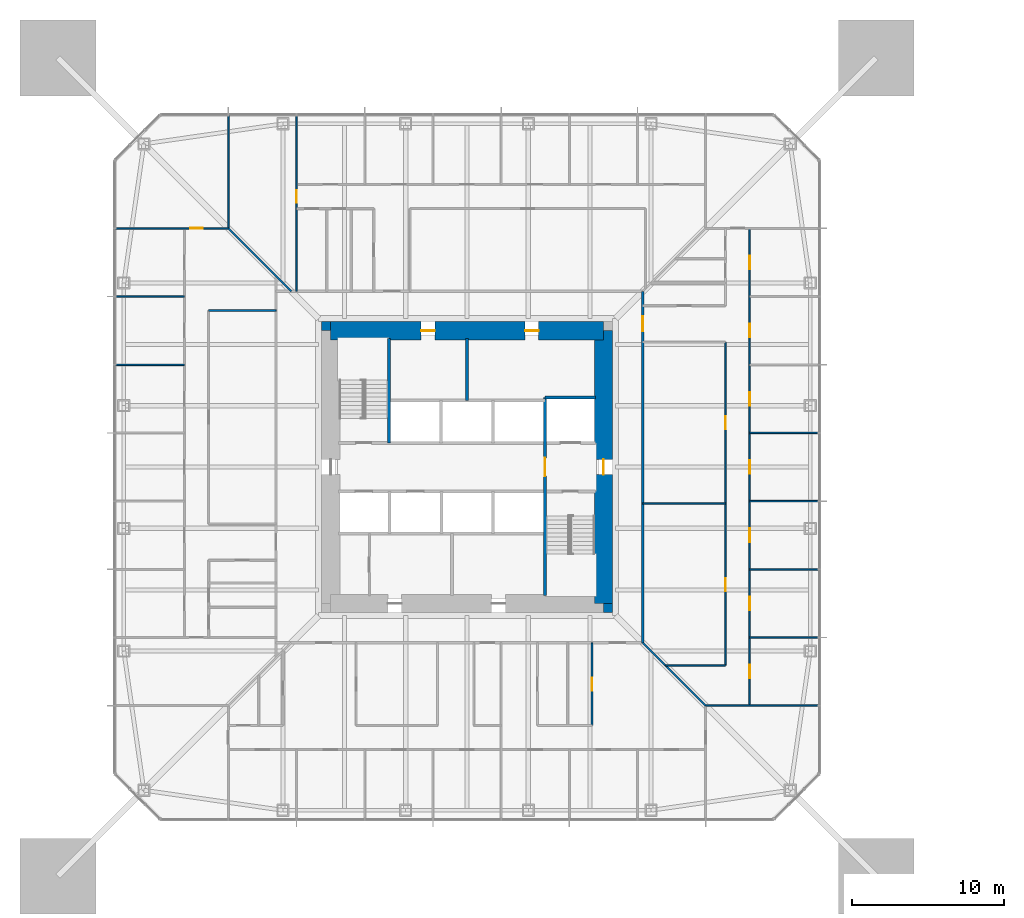
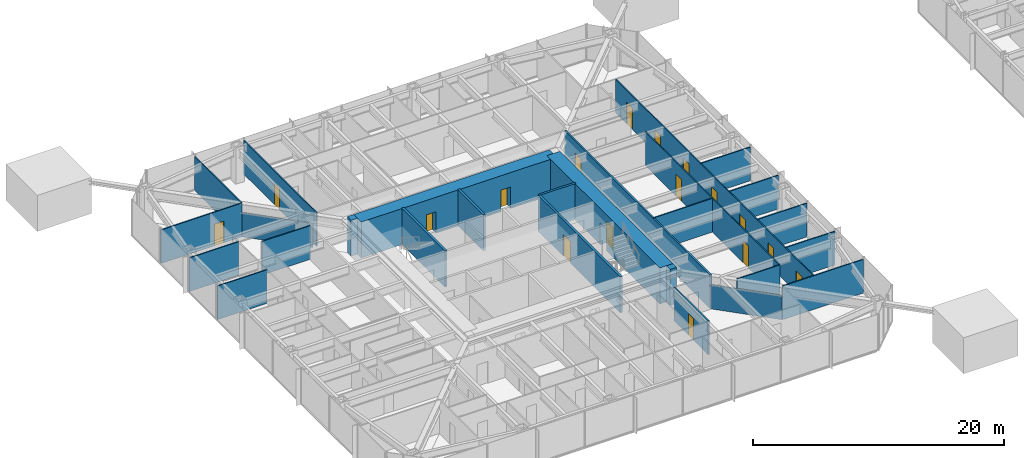
# One storey, part 16 of 26: 27 walls, 17 doors, 17 openings.
"""IFC4 building model written with IfcOpenShell, lengths in metres."""

from ifc_helpers import new_model, si_unit, direction, frame, frame_2d, origin, place, context, subcontext, project, spatial, rectangle, extrude, material, layer, layer_set, type_object, element, fill, save


model = new_model("IFC4")

# Units and contexts
model_context = context("Model", 3, precision=1e-05, world=origin(), true_north=direction((0.0, 1.0)))
body_context = subcontext(model_context, "Body", "Model", "MODEL_VIEW")
ifc_project = project(units=[si_unit("LENGTHUNIT", "METRE"), si_unit("AREAUNIT", "SQUARE_METRE"), si_unit("VOLUMEUNIT", "CUBIC_METRE"), si_unit("PLANEANGLEUNIT", "RADIAN"), si_unit("MASSUNIT", "GRAM", prefix="KILO")], contexts=[model_context])

# Site, building, storey
site_placement = place(None, origin())
site = spatial("IfcSite", under=ifc_project, at=site_placement, CompositionType="ELEMENT")
building_placement = place(site_placement, origin())
building = spatial("IfcBuilding", under=site, at=building_placement, Name="Iwan Alto Co-Living Towers", CompositionType="ELEMENT")
storey_placement = place(building_placement, frame((0.0, 0.0, 46.5)))
storey = spatial("IfcBuildingStorey", under=building, at=storey_placement, Name="L12", CompositionType="ELEMENT", Elevation=46.5)

# Wall, opening, door
ifc_material_1 = material(Name="Gypsum board")
ifc_layer_1 = layer(ifc_material_1, 0.02490234375, Name="Board", Category="Finish")
ifc_material_2 = material(Name="Steel ASTM A1003 ST33H cold-formed studs", Category="steel")
ifc_layer_2 = layer(ifc_material_2, 0.10009765625, Name="Studs", Category="Framing")
ifc_layer_3 = layer(ifc_material_1, 0.02490234375, Name="Board", Category="Finish")
ifc_layer_set_1 = layer_set([ifc_layer_1, ifc_layer_2, ifc_layer_3], Name="CORRIDOR WALL 150")
wall_type_1 = type_object("IfcWallType", Name="CORRIDOR WALL 150", PredefinedType="PARTITIONING", material=ifc_layer_set_1)
wall_1_placement = place(storey_placement, frame((11.60009765625, -11.60009765625, 0.0), z_axis=(0.0, 0.0, 1.0), x_axis=(0.0, 1.0, 0.0)))
wall_1 = element("IfcWall", 1, at=wall_1_placement, inside=storey, type_object=wall_type_1, Name="Partition L12", PredefinedType="PARTITIONING", context=body_context, shape_type="SweptSolid", body=[
    extrude(rectangle(XDim=23.2001953125, YDim=0.14990234375, at=frame_2d((11.60009765625, 0.0))), origin(), (0.0, 0.0, 1.0), 3.27001953125),
])
opening_1_placement = place(wall_1_placement, frame((20.550048828125, 0.0, 0.0)))
opening_1 = element("IfcOpeningElement", 2, at=opening_1_placement, cuts=wall_1, Name="Opening D3", PredefinedType="OPENING", context=body_context, shape_type="SweptSolid", body=[
    extrude(rectangle(XDim=1.0, YDim=2.10009765625, at=frame_2d((0.5, 1.050048828125))), frame((0.0, 0.0849609375, 0.0), z_axis=(0.0, -1.0, 0.0), x_axis=(1.0, 0.0, 0.0)), (0.0, 0.0, 1.0), 0.169921875),
])
ifc_material_3 = material(Name="Steel frame with timber leaf", Category="steel")
door_type_1 = type_object("IfcDoorType", Name="FLAT ENTRANCE DOOR FD30S 1000X2100", OperationType="SINGLE_SWING_LEFT", PredefinedType="DOOR", material=ifc_material_3)
door_1_placement = place(opening_1_placement, frame((1.0, 0.0, 0.0), z_axis=(0.0, 0.0, 1.0), x_axis=(-1.0, 0.0, 0.0)))
door_1 = element("IfcDoor", 3, at=door_1_placement, inside=storey, type_object=door_type_1, Name="Cluster lounge door L12", OperationType="SINGLE_SWING_RIGHT", OverallHeight=2.10009765625, OverallWidth=1.0, PredefinedType="DOOR", context=body_context, shape_type="SweptSolid", body=[
    extrude(rectangle(XDim=1.0, YDim=2.10009765625, at=frame_2d((0.5, 1.050048828125))), frame((0.0, 0.02490234375, 0.0), z_axis=(0.0, -1.0, 0.0), x_axis=(1.0, 0.0, 0.0)), (0.0, 0.0, 1.0), 0.050048828125),
])
fill(opening_1, door_1)

# Walls
ifc_layer_4 = layer(ifc_material_1, 0.012451171875, Name="Board", Category="Finish")
ifc_layer_5 = layer(ifc_material_2, 0.074951171875, Name="Studs", Category="Framing")
ifc_layer_6 = layer(ifc_material_1, 0.012451171875, Name="Board", Category="Finish")
ifc_layer_set_2 = layer_set([ifc_layer_4, ifc_layer_5, ifc_layer_6], Name="PARTITION 100")
wall_type_2 = type_object("IfcWallType", Name="PARTITION 100", PredefinedType="PARTITIONING", material=ifc_layer_set_2)
wall_2_placement = place(storey_placement, frame((15.75, -15.75, 0.0), z_axis=(0.0, 0.0, 1.0), x_axis=(1.0, 0.0, 0.0)))
element("IfcWall", 4, at=wall_2_placement, inside=storey, type_object=wall_type_2, Name="Partition L12", PredefinedType="PARTITIONING", context=body_context, shape_type="SweptSolid", body=[
    extrude(rectangle(XDim=7.43994140625, YDim=0.10009765625, at=frame_2d((3.719970703125, 0.0))), origin(), (0.0, 0.0, 1.0), 3.27001953125),
])
wall_3_placement = place(storey_placement, frame((13.090087890625, -13.090087890625, 0.0), z_axis=(0.0, 0.0, 1.0), x_axis=(1.0, 0.0, 0.0)))
element("IfcWall", 5, at=wall_3_placement, inside=storey, type_object=wall_type_2, Name="Partition L12", PredefinedType="PARTITIONING", context=body_context, shape_type="SweptSolid", body=[
    extrude(rectangle(XDim=3.9599609375, YDim=0.10009765625, at=frame_2d((1.97998046875, 0.0))), origin(), (0.0, 0.0, 1.0), 3.27001953125),
])
for number, where, z_axis, x_axis, name in (
    (6, (18.64990234375, -11.25, 0.0), (0.0, 0.0, 1.0), (1.0, 0.0, 0.0), "Partition L12"),
    (7, (18.64990234375, -6.75, 0.0), (0.0, 0.0, 1.0), (1.0, 0.0, 0.0), "Partition L12"),
):
    element("IfcWall", number, at=place(storey_placement, frame(where, z_axis=z_axis, x_axis=x_axis)), inside=storey, type_object=wall_type_2, Name=name, PredefinedType="PARTITIONING", context=body_context, shape_type="SweptSolid", body=[
        extrude(rectangle(XDim=4.5400390625, YDim=0.10009765625, at=frame_2d((2.27001953125, 0.0))), origin(), (0.0, 0.0, 1.0), 3.27001953125),
    ])
wall_4_placement = place(storey_placement, frame((11.60009765625, -2.419921875, 0.0), z_axis=(0.0, 0.0, 1.0), x_axis=(1.0, 0.0, 0.0)))
element("IfcWall", 8, at=wall_4_placement, inside=storey, type_object=wall_type_2, Name="Partition L12", PredefinedType="PARTITIONING", context=body_context, shape_type="SweptSolid", body=[
    extrude(rectangle(XDim=5.449951171875, YDim=0.10009765625, at=frame_2d((2.72509765625, 0.0))), origin(), (0.0, 0.0, 1.0), 3.27001953125),
])
for number, where, z_axis, x_axis, name in (
    (9, (18.64990234375, -2.25, 0.0), (0.0, 0.0, 1.0), (1.0, 0.0, 0.0), "Partition L12"),
    (10, (18.64990234375, 2.25, 0.0), (0.0, 0.0, 1.0), (1.0, 0.0, 0.0), "Partition L12"),
    (11, (-23.18994140625, 6.75, 0.0), (0.0, 0.0, 1.0), (1.0, 0.0, 0.0), "Partition L12"),
):
    element("IfcWall", number, at=place(storey_placement, frame(where, z_axis=z_axis, x_axis=x_axis)), inside=storey, type_object=wall_type_2, Name=name, PredefinedType="PARTITIONING", context=body_context, shape_type="SweptSolid", body=[
        extrude(rectangle(XDim=4.5400390625, YDim=0.10009765625, at=frame_2d((2.27001953125, 0.0))), origin(), (0.0, 0.0, 1.0), 3.27001953125),
    ])
wall_5_placement = place(storey_placement, frame((-17.050048828125, 10.330078125, 0.0), z_axis=(0.0, 0.0, 1.0), x_axis=(1.0, 0.0, 0.0)))
element("IfcWall", 12, at=wall_5_placement, inside=storey, type_object=wall_type_2, Name="Partition L12", PredefinedType="PARTITIONING", context=body_context, shape_type="SweptSolid", body=[
    extrude(rectangle(XDim=4.449951171875, YDim=0.10009765625, at=frame_2d((2.22509765625, 0.0))), origin(), (0.0, 0.0, 1.0), 3.27001953125),
])
wall_6_placement = place(storey_placement, frame((-23.18994140625, 11.25, 0.0), z_axis=(0.0, 0.0, 1.0), x_axis=(1.0, 0.0, 0.0)))
element("IfcWall", 13, at=wall_6_placement, inside=storey, type_object=wall_type_2, Name="Partition L12", PredefinedType="PARTITIONING", context=body_context, shape_type="SweptSolid", body=[
    extrude(rectangle(XDim=4.5400390625, YDim=0.10009765625, at=frame_2d((2.27001953125, 0.0))), origin(), (0.0, 0.0, 1.0), 3.27001953125),
])

# Wall, opening, door
wall_7_placement = place(storey_placement, frame((-23.18994140625, 15.75, 0.0), z_axis=(0.0, 0.0, 1.0), x_axis=(1.0, 0.0, 0.0)))
wall_7 = element("IfcWall", 14, at=wall_7_placement, inside=storey, type_object=wall_type_2, Name="Partition L12", PredefinedType="PARTITIONING", context=body_context, shape_type="SweptSolid", body=[
    extrude(rectangle(XDim=7.43994140625, YDim=0.10009765625, at=frame_2d((3.719970703125, 0.0))), origin(), (0.0, 0.0, 1.0), 3.27001953125),
])
opening_2_placement = place(wall_7_placement, frame((4.9150390625, 0.0, 0.0)))
opening_2 = element("IfcOpeningElement", 15, at=opening_2_placement, cuts=wall_7, Name="Opening D2", PredefinedType="OPENING", context=body_context, shape_type="SweptSolid", body=[
    extrude(rectangle(XDim=0.85009765625, YDim=2.10009765625, at=frame_2d((0.425048828125, 1.050048828125))), frame((0.0, 0.06005859375, 0.0), z_axis=(0.0, -1.0, 0.0), x_axis=(1.0, 0.0, 0.0)), (0.0, 0.0, 1.0), 0.1201171875),
])
ifc_material_4 = material(Name="Timber leaf in steel frame", Category="steel")
door_type_2 = type_object("IfcDoorType", Name="ROOM DOOR 850X2100", OperationType="SINGLE_SWING_LEFT", PredefinedType="DOOR", material=ifc_material_4)
door_2_placement = place(opening_2_placement, frame((0.85009765625, 0.0, 0.0), z_axis=(0.0, 0.0, 1.0), x_axis=(-1.0, 0.0, 0.0)))
door_2 = element("IfcDoor", 16, at=door_2_placement, inside=storey, type_object=door_type_2, Name="Study lounge door L12", OperationType="SINGLE_SWING_RIGHT", OverallHeight=2.10009765625, OverallWidth=0.85009765625, PredefinedType="DOOR", context=body_context, shape_type="SweptSolid", body=[
    extrude(rectangle(XDim=0.85009765625, YDim=2.10009765625, at=frame_2d((0.425048828125, 1.050048828125))), frame((0.0, 0.02490234375, 0.0), z_axis=(0.0, -1.0, 0.0), x_axis=(1.0, 0.0, 0.0)), (0.0, 0.0, 1.0), 0.050048828125),
])
fill(opening_2, door_2)

# Wall, openings, doors
wall_8_placement = place(storey_placement, frame((18.64990234375, -15.75, 0.0), z_axis=(0.0, 0.0, 1.0), x_axis=(0.0, 1.0, 0.0)))
wall_8 = element("IfcWall", 17, at=wall_8_placement, inside=storey, type_object=wall_type_2, Name="Partition L12", PredefinedType="PARTITIONING", context=body_context, shape_type="SweptSolid", body=[
    extrude(rectangle(XDim=31.5, YDim=0.10009765625, at=frame_2d((15.75, 0.0))), origin(), (0.0, 0.0, 1.0), 3.27001953125),
])
opening_3_placement = place(wall_8_placement, frame((1.800048828125, 0.0, 0.0)))
opening_3 = element("IfcOpeningElement", 18, at=opening_3_placement, cuts=wall_8, Name="Opening D1", PredefinedType="OPENING", context=body_context, shape_type="SweptSolid", body=[
    extrude(rectangle(XDim=0.89990234375, YDim=2.10009765625, at=frame_2d((0.449951171875, 1.050048828125))), frame((0.0, 0.06005859375, 0.0), z_axis=(0.0, -1.0, 0.0), x_axis=(1.0, 0.0, 0.0)), (0.0, 0.0, 1.0), 0.1201171875),
])
opening_4_placement = place(wall_8_placement, frame((6.300048828125, 0.0, 0.0)))
opening_4 = element("IfcOpeningElement", 19, at=opening_4_placement, cuts=wall_8, Name="Opening D1", PredefinedType="OPENING", context=body_context, shape_type="SweptSolid", body=[
    extrude(rectangle(XDim=0.89990234375, YDim=2.10009765625, at=frame_2d((0.449951171875, 1.050048828125))), frame((0.0, 0.06005859375, 0.0), z_axis=(0.0, -1.0, 0.0), x_axis=(1.0, 0.0, 0.0)), (0.0, 0.0, 1.0), 0.1201171875),
])
opening_5_placement = place(wall_8_placement, frame((10.800048828125, 0.0, 0.0)))
opening_5 = element("IfcOpeningElement", 20, at=opening_5_placement, cuts=wall_8, Name="Opening D1", PredefinedType="OPENING", context=body_context, shape_type="SweptSolid", body=[
    extrude(rectangle(XDim=0.89990234375, YDim=2.10009765625, at=frame_2d((0.449951171875, 1.050048828125))), frame((0.0, 0.06005859375, 0.0), z_axis=(0.0, -1.0, 0.0), x_axis=(1.0, 0.0, 0.0)), (0.0, 0.0, 1.0), 0.1201171875),
])
opening_6_placement = place(wall_8_placement, frame((15.300048828125, 0.0, 0.0)))
opening_6 = element("IfcOpeningElement", 21, at=opening_6_placement, cuts=wall_8, Name="Opening D1", PredefinedType="OPENING", context=body_context, shape_type="SweptSolid", body=[
    extrude(rectangle(XDim=0.89990234375, YDim=2.10009765625, at=frame_2d((0.449951171875, 1.050048828125))), frame((0.0, 0.06005859375, 0.0), z_axis=(0.0, -1.0, 0.0), x_axis=(1.0, 0.0, 0.0)), (0.0, 0.0, 1.0), 0.1201171875),
])
opening_7_placement = place(wall_8_placement, frame((19.800048828125, 0.0, 0.0)))
opening_7 = element("IfcOpeningElement", 22, at=opening_7_placement, cuts=wall_8, Name="Opening D1", PredefinedType="OPENING", context=body_context, shape_type="SweptSolid", body=[
    extrude(rectangle(XDim=0.89990234375, YDim=2.10009765625, at=frame_2d((0.449951171875, 1.050048828125))), frame((0.0, 0.06005859375, 0.0), z_axis=(0.0, -1.0, 0.0), x_axis=(1.0, 0.0, 0.0)), (0.0, 0.0, 1.0), 0.1201171875),
])
opening_8_placement = place(wall_8_placement, frame((24.300048828125, 0.0, 0.0)))
opening_8 = element("IfcOpeningElement", 23, at=opening_8_placement, cuts=wall_8, Name="Opening D1", PredefinedType="OPENING", context=body_context, shape_type="SweptSolid", body=[
    extrude(rectangle(XDim=0.89990234375, YDim=2.10009765625, at=frame_2d((0.449951171875, 1.050048828125))), frame((0.0, 0.06005859375, 0.0), z_axis=(0.0, -1.0, 0.0), x_axis=(1.0, 0.0, 0.0)), (0.0, 0.0, 1.0), 0.1201171875),
])
opening_9_placement = place(wall_8_placement, frame((28.800048828125, 0.0, 0.0)))
opening_9 = element("IfcOpeningElement", 24, at=opening_9_placement, cuts=wall_8, Name="Opening D1", PredefinedType="OPENING", context=body_context, shape_type="SweptSolid", body=[
    extrude(rectangle(XDim=0.89990234375, YDim=2.10009765625, at=frame_2d((0.449951171875, 1.050048828125))), frame((0.0, 0.06005859375, 0.0), z_axis=(0.0, -1.0, 0.0), x_axis=(1.0, 0.0, 0.0)), (0.0, 0.0, 1.0), 0.1201171875),
])
ifc_material_5 = material(Name="Timber leaf in steel frame", Category="steel")
door_type_3 = type_object("IfcDoorType", Name="BEDROOM DOOR 900X2100", OperationType="SINGLE_SWING_LEFT", PredefinedType="DOOR", material=ifc_material_5)
door_3_placement = place(opening_3_placement, origin())
door_3 = element("IfcDoor", 25, at=door_3_placement, inside=storey, type_object=door_type_3, Name="Study bedroom door L12", OperationType="SINGLE_SWING_LEFT", OverallHeight=2.10009765625, OverallWidth=0.89990234375, PredefinedType="DOOR", context=body_context, shape_type="SweptSolid", body=[
    extrude(rectangle(XDim=0.89990234375, YDim=2.10009765625, at=frame_2d((0.449951171875, 1.050048828125))), frame((0.0, 0.02490234375, 0.0), z_axis=(0.0, -1.0, 0.0), x_axis=(1.0, 0.0, 0.0)), (0.0, 0.0, 1.0), 0.050048828125),
])
fill(opening_3, door_3)
door_4_placement = place(opening_4_placement, origin())
door_4 = element("IfcDoor", 26, at=door_4_placement, inside=storey, type_object=door_type_3, Name="Study bedroom door L12", OperationType="SINGLE_SWING_LEFT", OverallHeight=2.10009765625, OverallWidth=0.89990234375, PredefinedType="DOOR", context=body_context, shape_type="SweptSolid", body=[
    extrude(rectangle(XDim=0.89990234375, YDim=2.10009765625, at=frame_2d((0.449951171875, 1.050048828125))), frame((0.0, 0.02490234375, 0.0), z_axis=(0.0, -1.0, 0.0), x_axis=(1.0, 0.0, 0.0)), (0.0, 0.0, 1.0), 0.050048828125),
])
fill(opening_4, door_4)
door_5_placement = place(opening_5_placement, origin())
door_5 = element("IfcDoor", 27, at=door_5_placement, inside=storey, type_object=door_type_3, Name="Study bedroom door L12", OperationType="SINGLE_SWING_LEFT", OverallHeight=2.10009765625, OverallWidth=0.89990234375, PredefinedType="DOOR", context=body_context, shape_type="SweptSolid", body=[
    extrude(rectangle(XDim=0.89990234375, YDim=2.10009765625, at=frame_2d((0.449951171875, 1.050048828125))), frame((0.0, 0.02490234375, 0.0), z_axis=(0.0, -1.0, 0.0), x_axis=(1.0, 0.0, 0.0)), (0.0, 0.0, 1.0), 0.050048828125),
])
fill(opening_5, door_5)
door_6_placement = place(opening_6_placement, origin())
door_6 = element("IfcDoor", 28, at=door_6_placement, inside=storey, type_object=door_type_3, Name="Study bedroom door L12", OperationType="SINGLE_SWING_LEFT", OverallHeight=2.10009765625, OverallWidth=0.89990234375, PredefinedType="DOOR", context=body_context, shape_type="SweptSolid", body=[
    extrude(rectangle(XDim=0.89990234375, YDim=2.10009765625, at=frame_2d((0.449951171875, 1.050048828125))), frame((0.0, 0.02490234375, 0.0), z_axis=(0.0, -1.0, 0.0), x_axis=(1.0, 0.0, 0.0)), (0.0, 0.0, 1.0), 0.050048828125),
])
fill(opening_6, door_6)
door_7_placement = place(opening_7_placement, origin())
door_7 = element("IfcDoor", 29, at=door_7_placement, inside=storey, type_object=door_type_3, Name="Study bedroom door L12", OperationType="SINGLE_SWING_RIGHT", OverallHeight=2.10009765625, OverallWidth=0.89990234375, PredefinedType="DOOR", context=body_context, shape_type="SweptSolid", body=[
    extrude(rectangle(XDim=0.89990234375, YDim=2.10009765625, at=frame_2d((0.449951171875, 1.050048828125))), frame((0.0, 0.02490234375, 0.0), z_axis=(0.0, -1.0, 0.0), x_axis=(1.0, 0.0, 0.0)), (0.0, 0.0, 1.0), 0.050048828125),
])
fill(opening_7, door_7)
door_8_placement = place(opening_8_placement, origin())
door_8 = element("IfcDoor", 30, at=door_8_placement, inside=storey, type_object=door_type_3, Name="Study bedroom door L12", OperationType="SINGLE_SWING_RIGHT", OverallHeight=2.10009765625, OverallWidth=0.89990234375, PredefinedType="DOOR", context=body_context, shape_type="SweptSolid", body=[
    extrude(rectangle(XDim=0.89990234375, YDim=2.10009765625, at=frame_2d((0.449951171875, 1.050048828125))), frame((0.0, 0.02490234375, 0.0), z_axis=(0.0, -1.0, 0.0), x_axis=(1.0, 0.0, 0.0)), (0.0, 0.0, 1.0), 0.050048828125),
])
fill(opening_8, door_8)
door_9_placement = place(opening_9_placement, origin())
door_9 = element("IfcDoor", 31, at=door_9_placement, inside=storey, type_object=door_type_3, Name="Study bedroom door L12", OperationType="SINGLE_SWING_RIGHT", OverallHeight=2.10009765625, OverallWidth=0.89990234375, PredefinedType="DOOR", context=body_context, shape_type="SweptSolid", body=[
    extrude(rectangle(XDim=0.89990234375, YDim=2.10009765625, at=frame_2d((0.449951171875, 1.050048828125))), frame((0.0, 0.02490234375, 0.0), z_axis=(0.0, -1.0, 0.0), x_axis=(1.0, 0.0, 0.0)), (0.0, 0.0, 1.0), 0.050048828125),
])
fill(opening_9, door_9)

wall_9_placement = place(storey_placement, frame((17.050048828125, -13.090087890625, 0.0), z_axis=(0.0, 0.0, 1.0), x_axis=(0.0, 1.0, 0.0)))
wall_9 = element("IfcWall", 32, at=wall_9_placement, inside=storey, type_object=wall_type_2, Name="Partition L12", PredefinedType="PARTITIONING", context=body_context, shape_type="SweptSolid", body=[
    extrude(rectangle(XDim=21.340087890625, YDim=0.10009765625, at=frame_2d((10.669921875, 0.0))), origin(), (0.0, 0.0, 1.0), 3.27001953125),
])
opening_10_placement = place(wall_9_placement, frame((4.909912109375, 0.0, 0.0)))
opening_10 = element("IfcOpeningElement", 33, at=opening_10_placement, cuts=wall_9, Name="Opening D2", PredefinedType="OPENING", context=body_context, shape_type="SweptSolid", body=[
    extrude(rectangle(XDim=0.85009765625, YDim=2.10009765625, at=frame_2d((0.425048828125, 1.050048828125))), frame((0.0, 0.06005859375, 0.0), z_axis=(0.0, -1.0, 0.0), x_axis=(1.0, 0.0, 0.0)), (0.0, 0.0, 1.0), 0.1201171875),
])
opening_11_placement = place(wall_9_placement, frame((15.580078125, 0.0, 0.0)))
opening_11 = element("IfcOpeningElement", 34, at=opening_11_placement, cuts=wall_9, Name="Opening D2", PredefinedType="OPENING", context=body_context, shape_type="SweptSolid", body=[
    extrude(rectangle(XDim=0.85009765625, YDim=2.10009765625, at=frame_2d((0.425048828125, 1.050048828125))), frame((0.0, 0.06005859375, 0.0), z_axis=(0.0, -1.0, 0.0), x_axis=(1.0, 0.0, 0.0)), (0.0, 0.0, 1.0), 0.1201171875),
])
door_10_placement = place(opening_10_placement, frame((0.85009765625, 0.0, 0.0), z_axis=(0.0, 0.0, 1.0), x_axis=(-1.0, 0.0, 0.0)))
door_10 = element("IfcDoor", 35, at=door_10_placement, inside=storey, type_object=door_type_2, Name="Study lounge door L12", OperationType="SINGLE_SWING_RIGHT", OverallHeight=2.10009765625, OverallWidth=0.85009765625, PredefinedType="DOOR", context=body_context, shape_type="SweptSolid", body=[
    extrude(rectangle(XDim=0.85009765625, YDim=2.10009765625, at=frame_2d((0.425048828125, 1.050048828125))), frame((0.0, 0.02490234375, 0.0), z_axis=(0.0, -1.0, 0.0), x_axis=(1.0, 0.0, 0.0)), (0.0, 0.0, 1.0), 0.050048828125),
])
fill(opening_10, door_10)
door_11_placement = place(opening_11_placement, frame((0.85009765625, 0.0, 0.0), z_axis=(0.0, 0.0, 1.0), x_axis=(-1.0, 0.0, 0.0)))
door_11 = element("IfcDoor", 36, at=door_11_placement, inside=storey, type_object=door_type_2, Name="Study lounge door L12", OperationType="SINGLE_SWING_LEFT", OverallHeight=2.10009765625, OverallWidth=0.85009765625, PredefinedType="DOOR", context=body_context, shape_type="SweptSolid", body=[
    extrude(rectangle(XDim=0.85009765625, YDim=2.10009765625, at=frame_2d((0.425048828125, 1.050048828125))), frame((0.0, 0.02490234375, 0.0), z_axis=(0.0, -1.0, 0.0), x_axis=(1.0, 0.0, 0.0)), (0.0, 0.0, 1.0), 0.050048828125),
])
fill(opening_11, door_11)

# Wall, opening, door
wall_10_placement = place(storey_placement, frame((-11.25, 11.60009765625, 0.0), z_axis=(0.0, 0.0, 1.0), x_axis=(0.0, 1.0, 0.0)))
wall_10 = element("IfcWall", 37, at=wall_10_placement, inside=storey, type_object=wall_type_2, Name="Partition L12", PredefinedType="PARTITIONING", context=body_context, shape_type="SweptSolid", body=[
    extrude(rectangle(XDim=11.58984375, YDim=0.10009765625, at=frame_2d((5.794921875, 0.0))), origin(), (0.0, 0.0, 1.0), 3.27001953125),
])
opening_12_placement = place(wall_10_placement, frame((5.824951171875, 0.0, 0.0)))
opening_12 = element("IfcOpeningElement", 38, at=opening_12_placement, cuts=wall_10, Name="Opening D2", PredefinedType="OPENING", context=body_context, shape_type="SweptSolid", body=[
    extrude(rectangle(XDim=0.85009765625, YDim=2.10009765625, at=frame_2d((0.425048828125, 1.050048828125))), frame((0.0, 0.06005859375, 0.0), z_axis=(0.0, -1.0, 0.0), x_axis=(1.0, 0.0, 0.0)), (0.0, 0.0, 1.0), 0.1201171875),
])
door_12_placement = place(opening_12_placement, frame((0.85009765625, 0.0, 0.0), z_axis=(0.0, 0.0, 1.0), x_axis=(-1.0, 0.0, 0.0)))
door_12 = element("IfcDoor", 39, at=door_12_placement, inside=storey, type_object=door_type_2, Name="Co-working room door L12", OperationType="SINGLE_SWING_RIGHT", OverallHeight=2.10009765625, OverallWidth=0.85009765625, PredefinedType="DOOR", context=body_context, shape_type="SweptSolid", body=[
    extrude(rectangle(XDim=0.85009765625, YDim=2.10009765625, at=frame_2d((0.425048828125, 1.050048828125))), frame((0.0, 0.02490234375, 0.0), z_axis=(0.0, -1.0, 0.0), x_axis=(1.0, 0.0, 0.0)), (0.0, 0.0, 1.0), 0.050048828125),
])
fill(opening_12, door_12)

# Walls
wall_11_placement = place(storey_placement, frame((-15.75, 15.75, 0.0), z_axis=(0.0, 0.0, 1.0), x_axis=(0.0, 1.0, 0.0)))
element("IfcWall", 40, at=wall_11_placement, inside=storey, type_object=wall_type_2, Name="Partition L12", PredefinedType="PARTITIONING", context=body_context, shape_type="SweptSolid", body=[
    extrude(rectangle(XDim=7.43994140625, YDim=0.10009765625, at=frame_2d((3.719970703125, 0.0))), origin(), (0.0, 0.0, 1.0), 3.27001953125),
])
for number, where, z_axis, x_axis, name in (
    (41, (15.75, -15.75, 0.0), (0.0, 0.0, 1.0), (-0.707106781187, 0.707106781187, 0.0), "Partition L12"),
    (42, (-11.60009765625, 11.60009765625, 0.0), (0.0, 0.0, 1.0), (-0.707106781187, 0.707106781187, 0.0), "Partition L12"),
):
    element("IfcWall", number, at=place(storey_placement, frame(where, z_axis=z_axis, x_axis=x_axis)), inside=storey, type_object=wall_type_2, Name=name, PredefinedType="PARTITIONING", context=body_context, shape_type="SweptSolid", body=[
        extrude(rectangle(XDim=5.868896484375, YDim=0.10009765625, at=frame_2d((2.9345703125, 0.0))), origin(), (0.0, 0.0, 1.0), 2.343017578125),
    ])
ifc_material_6 = material(Name="Concrete f'c 70 MPa", Category="concrete")
ifc_layer_7 = layer(ifc_material_6, 0.199951171875)
ifc_layer_set_3 = layer_set([ifc_layer_7], Name="SHAFT WALL 200")
wall_type_3 = type_object("IfcWallType", Name="SHAFT WALL 200", PredefinedType="SOLIDWALL", material=ifc_layer_set_3)
wall_12_placement = place(storey_placement, frame((5.14990234375, 4.60009765625, 0.0), z_axis=(0.0, 0.0, 1.0), x_axis=(1.0, 0.0, 0.0)))
element("IfcWall", 43, at=wall_12_placement, inside=storey, type_object=wall_type_3, Name="Shaft wall L12", PredefinedType="SOLIDWALL", context=body_context, shape_type="SweptSolid", body=[
    extrude(rectangle(XDim=3.340087890625, YDim=0.199951171875, at=frame_2d((1.669921875, 0.0))), origin(), (0.0, 0.0, 1.0), 3.5),
])

# Wall, opening, door
wall_13_placement = place(storey_placement, frame((5.14990234375, -8.489990234375, 0.0), z_axis=(0.0, 0.0, 1.0), x_axis=(0.0, 1.0, 0.0)))
wall_13 = element("IfcWall", 44, at=wall_13_placement, inside=storey, type_object=wall_type_3, Name="Shaft wall L12", PredefinedType="SOLIDWALL", context=body_context, shape_type="SweptSolid", body=[
    extrude(rectangle(XDim=13.090087890625, YDim=0.199951171875, at=frame_2d((6.544921875, 0.0))), origin(), (0.0, 0.0, 1.0), 3.5),
])
opening_13_placement = place(wall_13_placement, frame((7.889892578125, 0.0, 0.0)))
opening_13 = element("IfcOpeningElement", 45, at=opening_13_placement, cuts=wall_13, Name="Opening D6", PredefinedType="OPENING", context=body_context, shape_type="SweptSolid", body=[
    extrude(rectangle(XDim=1.199951171875, YDim=2.10009765625, at=frame_2d((0.60009765625, 1.050048828125))), frame((0.0, 0.10986328125, 0.0), z_axis=(0.0, -1.0, 0.0), x_axis=(1.0, 0.0, 0.0)), (0.0, 0.0, 1.0), 0.219970703125),
])
ifc_material_7 = material(Name="Steel frame with timber leaf", Category="steel")
door_type_4 = type_object("IfcDoorType", Name="LOBBY DOOR FD120S 1200X2100", OperationType="SINGLE_SWING_LEFT", PredefinedType="DOOR", material=ifc_material_7)
door_13_placement = place(opening_13_placement, frame((1.199951171875, 0.0, 0.0), z_axis=(0.0, 0.0, 1.0), x_axis=(-1.0, 0.0, 0.0)))
door_13 = element("IfcDoor", 46, at=door_13_placement, inside=storey, type_object=door_type_4, Name="Firefighting lobby door L12", OperationType="SINGLE_SWING_RIGHT", OverallHeight=2.10009765625, OverallWidth=1.199951171875, PredefinedType="DOOR", context=body_context, shape_type="SweptSolid", body=[
    extrude(rectangle(XDim=1.199951171875, YDim=2.10009765625, at=frame_2d((0.60009765625, 1.050048828125))), frame((0.0, 0.02490234375, 0.0), z_axis=(0.0, -1.0, 0.0), x_axis=(1.0, 0.0, 0.0)), (0.0, 0.0, 1.0), 0.050048828125),
])
fill(opening_13, door_13)

# Walls
wall_14_placement = place(storey_placement, frame((0.0, 4.39990234375, 0.0), z_axis=(0.0, 0.0, 1.0), x_axis=(0.0, 1.0, 0.0)))
element("IfcWall", 47, at=wall_14_placement, inside=storey, type_object=wall_type_3, Name="Shaft wall L12", PredefinedType="SOLIDWALL", context=body_context, shape_type="SweptSolid", body=[
    extrude(rectangle(XDim=4.090087890625, YDim=0.199951171875, at=frame_2d((2.044921875, 0.0))), origin(), (0.0, 0.0, 1.0), 3.5),
])
wall_15_placement = place(storey_placement, frame((-5.14990234375, 1.60009765625, 0.0), z_axis=(0.0, 0.0, 1.0), x_axis=(0.0, 1.0, 0.0)))
element("IfcWall", 48, at=wall_15_placement, inside=storey, type_object=wall_type_3, Name="Shaft wall L12", PredefinedType="SOLIDWALL", context=body_context, shape_type="SweptSolid", body=[
    extrude(rectangle(XDim=6.889892578125, YDim=0.199951171875, at=frame_2d((3.44482421875, 0.0))), origin(), (0.0, 0.0, 1.0), 3.5),
])
ifc_material_8 = material(Name="Concrete f'c 70 MPa", Category="concrete")
ifc_layer_8 = layer(ifc_material_8, 0.60009765625)
ifc_layer_set_4 = layer_set([ifc_layer_8], Name="T1 CORE CORNER FILL 600")
wall_type_4 = type_object("IfcWallType", Name="T1 CORE CORNER FILL 600", PredefinedType="SOLIDWALL", material=ifc_layer_set_4)
for number, where, z_axis, x_axis, name in (
    (49, (9.0, -9.300048828125, 0.0), (0.0, 0.0, 1.0), (1.0, 0.0, 0.0), "T1 core corner SE L12"),
    (50, (-9.60009765625, 9.300048828125, 0.0), (0.0, 0.0, 1.0), (1.0, 0.0, 0.0), "T1 core corner NW L12"),
):
    element("IfcWall", number, at=place(storey_placement, frame(where, z_axis=z_axis, x_axis=x_axis)), inside=storey, type_object=wall_type_4, Name=name, PredefinedType="SOLIDWALL", context=body_context, shape_type="SweptSolid", body=[
        extrude(rectangle(XDim=0.60009765625, YDim=0.60009765625, at=frame_2d((0.300048828125, 0.0))), origin(), (0.0, 0.0, 1.0), 3.5),
    ])

# Wall, openings, doors
ifc_material_9 = material(Name="Concrete f'c 70 MPa", Category="concrete")
ifc_layer_9 = layer(ifc_material_9, 1.199951171875)
ifc_layer_set_5 = layer_set([ifc_layer_9], Name="T1 CORE WALL 1200")
wall_type_5 = type_object("IfcWallType", Name="T1 CORE WALL 1200", PredefinedType="SHEAR", material=ifc_layer_set_5)
wall_16_placement = place(storey_placement, frame((9.0, 9.0, 0.0), z_axis=(0.0, 0.0, 1.0), x_axis=(-1.0, 0.0, 0.0)))
wall_16 = element("IfcWall", 51, at=wall_16_placement, inside=storey, type_object=wall_type_5, Name="T1 core wall N L12", PredefinedType="SHEAR", context=body_context, shape_type="SweptSolid", body=[
    extrude(rectangle(XDim=18.0, YDim=1.199951171875, at=frame_2d((9.0, 0.0))), origin(), (0.0, 0.0, 1.0), 3.5),
])
opening_14_placement = place(wall_16_placement, frame((11.125, 0.0, 0.0)))
opening_14 = element("IfcOpeningElement", 52, at=opening_14_placement, cuts=wall_16, Name="Opening D8", PredefinedType="OPENING", context=body_context, shape_type="SweptSolid", body=[
    extrude(rectangle(XDim=0.89990234375, YDim=2.10009765625, at=frame_2d((0.449951171875, 1.050048828125))), frame((0.0, 0.60986328125, 0.0), z_axis=(0.0, -1.0, 0.0), x_axis=(1.0, 0.0, 0.0)), (0.0, 0.0, 1.0), 1.219970703125),
])
opening_15_placement = place(wall_16_placement, frame((4.27490234375, 0.0, 0.0)))
opening_15 = element("IfcOpeningElement", 53, at=opening_15_placement, cuts=wall_16, Name="Opening D8", PredefinedType="OPENING", context=body_context, shape_type="SweptSolid", body=[
    extrude(rectangle(XDim=0.89990234375, YDim=2.10009765625, at=frame_2d((0.449951171875, 1.050048828125))), frame((0.0, 0.60986328125, 0.0), z_axis=(0.0, -1.0, 0.0), x_axis=(1.0, 0.0, 0.0)), (0.0, 0.0, 1.0), 1.219970703125),
])
ifc_material_10 = material(Name="Steel frame with timber leaf", Category="steel")
door_type_5 = type_object("IfcDoorType", Name="RISER DOOR FD120 900X2100", OperationType="SINGLE_SWING_LEFT", PredefinedType="DOOR", material=ifc_material_10)
door_14_placement = place(opening_14_placement, origin())
door_14 = element("IfcDoor", 54, at=door_14_placement, inside=storey, type_object=door_type_5, Name="Electrical riser core door L12", OperationType="SINGLE_SWING_RIGHT", OverallHeight=2.10009765625, OverallWidth=0.89990234375, PredefinedType="DOOR", context=body_context, shape_type="SweptSolid", body=[
    extrude(rectangle(XDim=0.89990234375, YDim=2.10009765625, at=frame_2d((0.449951171875, 1.050048828125))), frame((0.0, 0.02490234375, 0.0), z_axis=(0.0, -1.0, 0.0), x_axis=(1.0, 0.0, 0.0)), (0.0, 0.0, 1.0), 0.050048828125),
])
fill(opening_14, door_14)
door_15_placement = place(opening_15_placement, origin())
door_15 = element("IfcDoor", 55, at=door_15_placement, inside=storey, type_object=door_type_5, Name="Water and drainage riser core door L12", OperationType="SINGLE_SWING_RIGHT", OverallHeight=2.10009765625, OverallWidth=0.89990234375, PredefinedType="DOOR", context=body_context, shape_type="SweptSolid", body=[
    extrude(rectangle(XDim=0.89990234375, YDim=2.10009765625, at=frame_2d((0.449951171875, 1.050048828125))), frame((0.0, 0.02490234375, 0.0), z_axis=(0.0, -1.0, 0.0), x_axis=(1.0, 0.0, 0.0)), (0.0, 0.0, 1.0), 0.050048828125),
])
fill(opening_15, door_15)

# Wall, opening, door
wall_17_placement = place(storey_placement, frame((9.0, -9.0, 0.0), z_axis=(0.0, 0.0, 1.0), x_axis=(0.0, 1.0, 0.0)))
wall_17 = element("IfcWall", 56, at=wall_17_placement, inside=storey, type_object=wall_type_5, Name="T1 core wall E L12", PredefinedType="SHEAR", context=body_context, shape_type="SweptSolid", body=[
    extrude(rectangle(XDim=18.0, YDim=1.199951171875, at=frame_2d((9.0, 0.0))), origin(), (0.0, 0.0, 1.0), 3.5),
])
opening_16_placement = place(wall_17_placement, frame((8.5, 0.0, 0.0)))
opening_16 = element("IfcOpeningElement", 57, at=opening_16_placement, cuts=wall_17, Name="Opening D7", PredefinedType="OPENING", context=body_context, shape_type="SweptSolid", body=[
    extrude(rectangle(XDim=1.0, YDim=2.10009765625, at=frame_2d((0.5, 1.050048828125))), frame((0.0, 0.60986328125, 0.0), z_axis=(0.0, -1.0, 0.0), x_axis=(1.0, 0.0, 0.0)), (0.0, 0.0, 1.0), 1.219970703125),
])
ifc_material_11 = material(Name="Steel frame with timber leaf", Category="steel")
door_type_6 = type_object("IfcDoorType", Name="CORE DOOR FD120S 1000X2100", OperationType="SINGLE_SWING_LEFT", PredefinedType="DOOR", material=ifc_material_11)
door_16_placement = place(opening_16_placement, origin())
door_16 = element("IfcDoor", 58, at=door_16_placement, inside=storey, type_object=door_type_6, Name="Firefighting lobby core door L12", OperationType="SINGLE_SWING_LEFT", OverallHeight=2.10009765625, OverallWidth=1.0, PredefinedType="DOOR", context=body_context, shape_type="SweptSolid", body=[
    extrude(rectangle(XDim=1.0, YDim=2.10009765625, at=frame_2d((0.5, 1.050048828125))), frame((0.0, 0.02490234375, 0.0), z_axis=(0.0, -1.0, 0.0), x_axis=(1.0, 0.0, 0.0)), (0.0, 0.0, 1.0), 0.050048828125),
])
fill(opening_16, door_16)

ifc_material_12 = material(Name="Cement board")
ifc_layer_10 = layer(ifc_material_12, 0.012451171875, Name="Board", Category="Finish")
ifc_layer_11 = layer(ifc_material_2, 0.094970703125, Name="Studs", Category="Framing")
ifc_layer_12 = layer(ifc_material_12, 0.012451171875, Name="Board", Category="Finish")
ifc_layer_set_6 = layer_set([ifc_layer_10, ifc_layer_11, ifc_layer_12], Name="WET AREA PARTITION 120")
wall_type_6 = type_object("IfcWallType", Name="WET AREA PARTITION 120", PredefinedType="PARTITIONING", material=ifc_layer_set_6)
wall_18_placement = place(storey_placement, frame((8.25, -17.050048828125, 0.0), z_axis=(0.0, 0.0, 1.0), x_axis=(0.0, 1.0, 0.0)))
wall_18 = element("IfcWall", 59, at=wall_18_placement, inside=storey, type_object=wall_type_6, Name="Partition L12", PredefinedType="PARTITIONING", context=body_context, shape_type="SweptSolid", body=[
    extrude(rectangle(XDim=5.449951171875, YDim=0.1201171875, at=frame_2d((2.72509765625, 0.0))), origin(), (0.0, 0.0, 1.0), 3.27001953125),
])
opening_17_placement = place(wall_18_placement, frame((2.300048828125, 0.0, 0.0)))
opening_17 = element("IfcOpeningElement", 60, at=opening_17_placement, cuts=wall_18, Name="Opening D2", PredefinedType="OPENING", context=body_context, shape_type="SweptSolid", body=[
    extrude(rectangle(XDim=0.85009765625, YDim=2.10009765625, at=frame_2d((0.425048828125, 1.050048828125))), frame((0.0, 0.070068359375, 0.0), z_axis=(0.0, -1.0, 0.0), x_axis=(1.0, 0.0, 0.0)), (0.0, 0.0, 1.0), 0.14013671875),
])
door_17_placement = place(opening_17_placement, frame((0.85009765625, 0.0, 0.0), z_axis=(0.0, 0.0, 1.0), x_axis=(-1.0, 0.0, 0.0)))
door_17 = element("IfcDoor", 61, at=door_17_placement, inside=storey, type_object=door_type_2, Name="Accessible bathroom door L12", OperationType="SINGLE_SWING_LEFT", OverallHeight=2.10009765625, OverallWidth=0.85009765625, PredefinedType="DOOR", context=body_context, shape_type="SweptSolid", body=[
    extrude(rectangle(XDim=0.85009765625, YDim=2.10009765625, at=frame_2d((0.425048828125, 1.050048828125))), frame((0.0, 0.02490234375, 0.0), z_axis=(0.0, -1.0, 0.0), x_axis=(1.0, 0.0, 0.0)), (0.0, 0.0, 1.0), 0.050048828125),
])
fill(opening_17, door_17)

save(model, "model.ifc")
